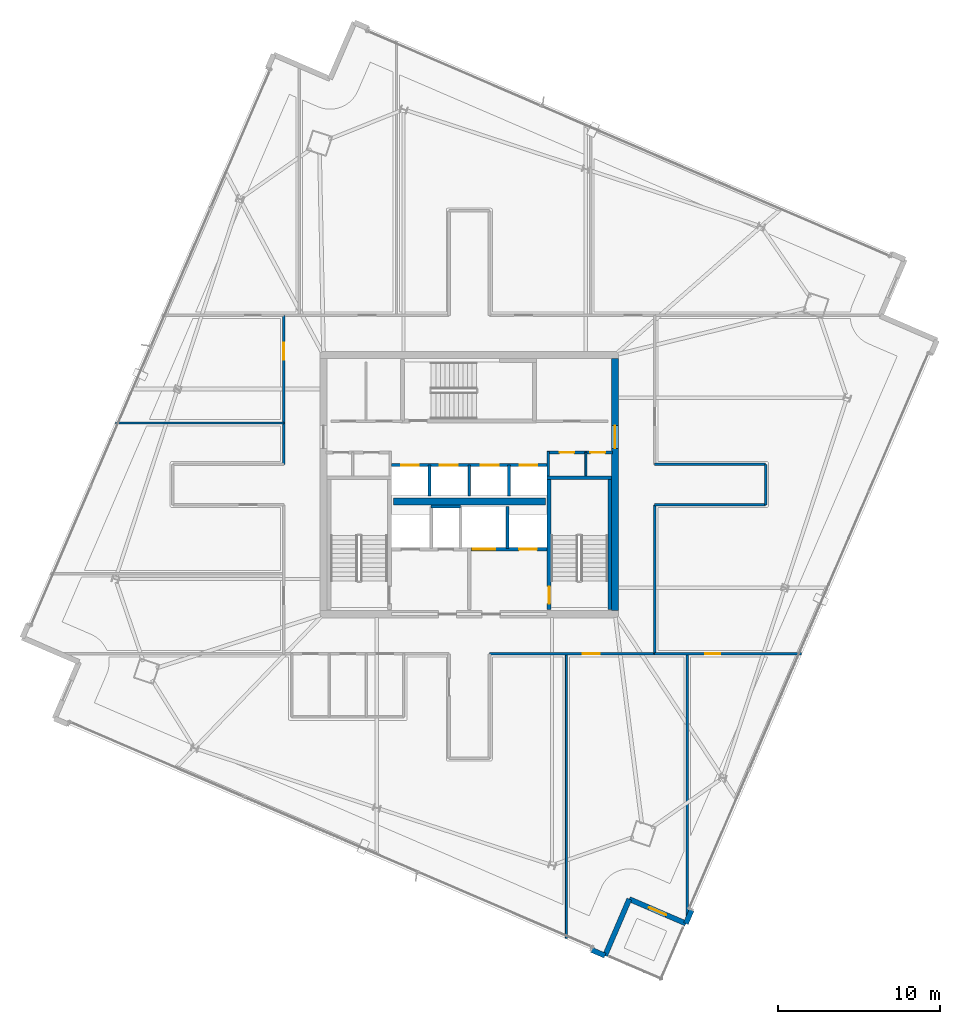
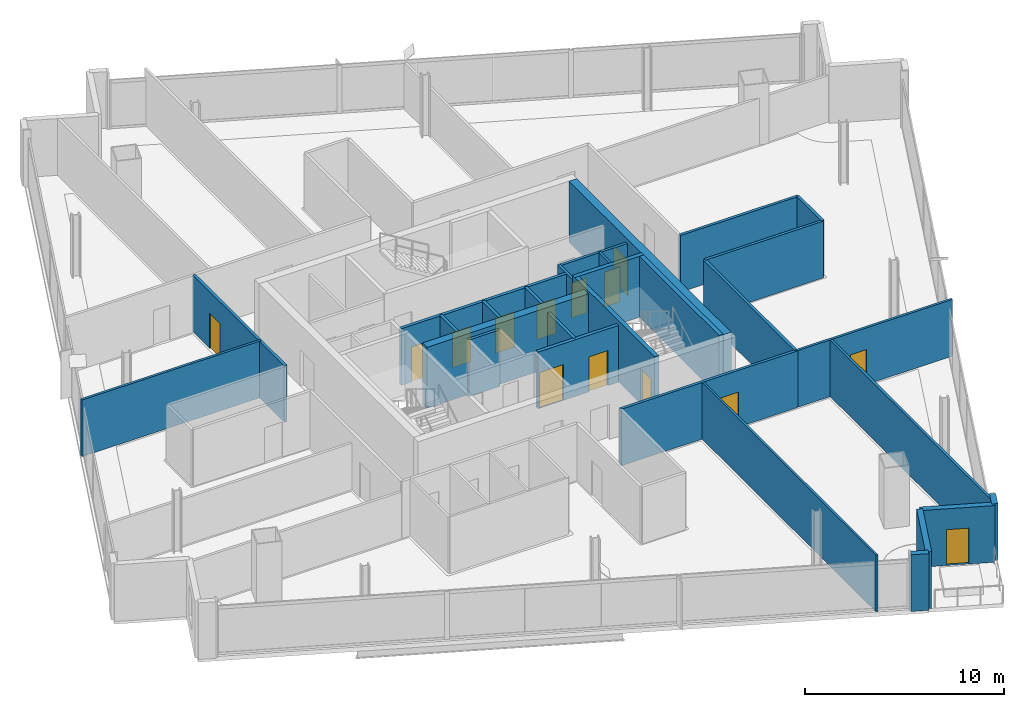
# One storey, part 21 of 28: 29 walls, 14 doors, 14 openings.
"""IFC4 building model written with IfcOpenShell, lengths in metres."""

from ifc_helpers import new_model, si_unit, direction, frame, frame_2d, origin, place, context, subcontext, project, spatial, rectangle, extrude, material, layer, layer_set, type_object, element, fill, save


model = new_model("IFC4")

# Units and contexts
model_context = context("Model", 3, precision=1e-05, world=origin(), true_north=direction((0.0, 1.0)))
body_context = subcontext(model_context, "Body", "Model", "MODEL_VIEW")
ifc_project = project(units=[si_unit("LENGTHUNIT", "METRE"), si_unit("AREAUNIT", "SQUARE_METRE"), si_unit("VOLUMEUNIT", "CUBIC_METRE"), si_unit("PLANEANGLEUNIT", "RADIAN"), si_unit("MASSUNIT", "GRAM", prefix="KILO")], contexts=[model_context])

# Site, building, storey
site_placement = place(None, origin())
site = spatial("IfcSite", under=ifc_project, at=site_placement, CompositionType="ELEMENT")
building_placement = place(site_placement, origin())
building = spatial("IfcBuilding", under=site, at=building_placement, Name="Haldenkirk Collegiate Tower", CompositionType="ELEMENT")
storey_placement = place(building_placement, frame((0.0, 0.0, 252.449951171875)))
storey = spatial("IfcBuildingStorey", under=building, at=storey_placement, Name="L63", CompositionType="ELEMENT", Elevation=252.449951171875)

# Wall, opening, door
ifc_material_1 = material(Name="Concrete f'c 55 MPa", Category="concrete")
ifc_layer_1 = layer(ifc_material_1, 0.449951171875)
ifc_layer_set_1 = layer_set([ifc_layer_1], Name="Concrete f'c 55 MPa")
wall_type_1 = type_object("IfcWallType", Name="WL-CORE-450", PredefinedType="SHEAR", material=ifc_layer_set_1)
wall_1_placement = place(storey_placement, frame((45.0, 18.22509765625, 0.0), z_axis=(0.0, 0.0, 1.0), x_axis=(0.0, 1.0, 0.0)))
wall_1 = element("IfcWall", 1, at=wall_1_placement, inside=storey, type_object=wall_type_1, Name="L63 central core shear wall E", PredefinedType="SHEAR", context=body_context, shape_type="SweptSolid", body=[
    extrude(rectangle(XDim=15.5498046875, YDim=0.449951171875, at=frame_2d((7.77490234375, 0.0))), origin(), (0.0, 0.0, 1.0), 3.75),
])
opening_1_placement = place(wall_1_placement, frame((10.014892578125, 0.0, 0.0)))
opening_1 = element("IfcOpeningElement", 2, at=opening_1_placement, cuts=wall_1, Name="Opening D-03", PredefinedType="OPENING", context=body_context, shape_type="SweptSolid", body=[
    extrude(rectangle(XDim=1.39990234375, YDim=2.199951171875, at=frame_2d((0.699951171875, 1.10009765625))), frame((0.0, 0.23486328125, 0.0), z_axis=(0.0, -1.0, 0.0), x_axis=(1.0, 0.0, 0.0)), (0.0, 0.0, 1.0), 0.469970703125),
])
ifc_material_2 = material(Name="Galvanized fire-rated hollow steel door", Category="steel")
ifc_layer_2 = layer(ifc_material_2, 0.06005859375)
ifc_layer_set_2 = layer_set([ifc_layer_2], Name="Galvanized fire-rated hollow steel door")
door_type_1 = type_object("IfcDoorType", Name="DR-LOBBY-FD90-1400", OperationType="NOTDEFINED", PredefinedType="DOOR", material=ifc_layer_set_2)
door_1_placement = place(opening_1_placement, origin())
door_1 = element("IfcDoor", 3, at=door_1_placement, inside=storey, type_object=door_type_1, Name="L63 east lift lobby portal", OperationType="DOUBLE_DOOR_SINGLE_SWING", OverallHeight=2.199951171875, OverallWidth=1.39990234375, PredefinedType="DOOR", context=body_context, shape_type="SweptSolid", body=[
    extrude(rectangle(XDim=1.39990234375, YDim=2.199951171875, at=frame_2d((0.699951171875, 1.10009765625))), frame((0.0, 0.02490234375, 0.0), z_axis=(0.0, -1.0, 0.0), x_axis=(1.0, 0.0, 0.0)), (0.0, 0.0, 1.0), 0.050048828125),
])
fill(opening_1, door_1)

# Walls
wall_2_placement = place(storey_placement, frame((31.31005859375, 24.949951171875, 0.0), z_axis=(0.0, 0.0, 1.0), x_axis=(1.0, 0.0, 0.0)))
element("IfcWall", 4, at=wall_2_placement, inside=storey, type_object=wall_type_1, Name="L63 central core spine shear wall", PredefinedType="SHEAR", context=body_context, shape_type="SweptSolid", body=[
    extrude(rectangle(XDim=9.3798828125, YDim=0.449951171875, at=frame_2d((4.68994140625, 0.0))), origin(), (0.0, 0.0, 1.0), 3.75),
])
ifc_material_3 = material(Name="Precast concrete f'c 40 MPa", Category="concrete")
ifc_layer_3 = layer(ifc_material_3, 0.320068359375)
ifc_layer_set_3 = layer_set([ifc_layer_3], Name="Precast concrete f'c 40 MPa")
wall_type_2 = type_object("IfcWallType", Name="WL-EXT-TWR-320", PredefinedType="STANDARD", material=ifc_layer_set_3)
for number, where, z_axis, x_axis, name in (
    (5, (49.7275390625, -0.2724609375, 0.0), (0.0, 0.0, 1.0), (-0.395490132526, -0.91847022547, 0.0), "L63 precast corner pier SR"),
    (6, (44.37841796875, -3.086181640625, 0.0), (0.0, 0.0, 1.0), (-0.918371675188, 0.395718923243, 0.0), "L63 precast corner pier WL"),
):
    element("IfcWall", number, at=place(storey_placement, frame(where, z_axis=z_axis, x_axis=x_axis)), inside=storey, type_object=wall_type_2, Name=name, PredefinedType="STANDARD", context=body_context, shape_type="SweptSolid", body=[
        extrude(rectangle(XDim=0.900146484375, YDim=0.320068359375, at=frame_2d((0.4501953125, 0.0))), origin(), (0.0, 0.0, 1.0), 3.47998046875),
    ])
wall_3_placement = place(storey_placement, frame((45.881591796875, 0.404052734375, 0.0), z_axis=(0.0, 0.0, 1.0), x_axis=(-0.395554699425, -0.918442420494, 0.0)))
element("IfcWall", 7, at=wall_3_placement, inside=storey, type_object=wall_type_2, Name="L63 bronze precast notch wall 11", PredefinedType="STANDARD", context=body_context, shape_type="SweptSolid", body=[
    extrude(rectangle(XDim=3.800048828125, YDim=0.320068359375, at=frame_2d((1.89990234375, 0.0))), origin(), (0.0, 0.0, 1.0), 3.47998046875),
])

# Wall, opening, door
wall_4_placement = place(storey_placement, frame((49.37158203125, -1.09912109375, 0.0), z_axis=(0.0, 0.0, 1.0), x_axis=(-0.91843236765, 0.395578040407, 0.0)))
wall_4 = element("IfcWall", 8, at=wall_4_placement, inside=storey, type_object=wall_type_2, Name="L63 bronze precast notch wall 12", PredefinedType="STANDARD", context=body_context, shape_type="SweptSolid", body=[
    extrude(rectangle(XDim=3.800048828125, YDim=0.320068359375, at=frame_2d((1.89990234375, 0.0))), origin(), (0.0, 0.0, 1.0), 3.47998046875),
])
opening_2_placement = place(wall_4_placement, frame((1.324951171875, 0.0, 0.0)))
opening_2 = element("IfcOpeningElement", 9, at=opening_2_placement, cuts=wall_4, Name="Opening D-ST11", PredefinedType="OPENING", context=body_context, shape_type="SweptSolid", body=[
    extrude(rectangle(XDim=1.14990234375, YDim=2.199951171875, at=frame_2d((0.574951171875, 1.10009765625))), frame((0.0, 0.169921875, 0.0), z_axis=(0.0, -1.0, 0.0), x_axis=(1.0, 0.0, 0.0)), (0.0, 0.0, 1.0), 0.340087890625),
])
ifc_material_4 = material(Name="Anodised architectural bronze aluminium", Category="aluminium")
ifc_layer_4 = layer(ifc_material_4, 0.080078125)
ifc_layer_set_4 = layer_set([ifc_layer_4], Name="Anodised architectural bronze aluminium")
door_type_2 = type_object("IfcDoorType", Name="DR-EXT-STER-1150", OperationType="NOTDEFINED", PredefinedType="DOOR", material=ifc_layer_set_4)
door_2_placement = place(opening_2_placement, origin())
door_2 = element("IfcDoor", 10, at=door_2_placement, inside=storey, type_object=door_type_2, Name="L63 spiralling terrace door", OperationType="SINGLE_SWING_RIGHT", OverallHeight=2.199951171875, OverallWidth=1.14990234375, PredefinedType="DOOR", context=body_context, shape_type="SweptSolid", body=[
    extrude(rectangle(XDim=1.14990234375, YDim=2.199951171875, at=frame_2d((0.574951171875, 1.10009765625))), frame((0.0, 0.02490234375, 0.0), z_axis=(0.0, -1.0, 0.0), x_axis=(1.0, 0.0, 0.0)), (0.0, 0.0, 1.0), 0.050048828125),
])
fill(opening_2, door_2)

# Wall, openings, doors
ifc_material_5 = material(Name="Acoustic fire-rated gypsum partition", Category="concrete")
ifc_layer_5 = layer(ifc_material_5, 0.159912109375)
ifc_layer_set_5 = layer_set([ifc_layer_5], Name="Acoustic fire-rated gypsum partition")
wall_type_3 = type_object("IfcWallType", Name="WL-INT-CORR-160", PredefinedType="PARTITIONING", material=ifc_layer_set_5)
wall_5_placement = place(storey_placement, frame((40.800048828125, 27.97998046875, 0.0), z_axis=(0.0, 0.0, 1.0), x_axis=(1.0, 0.0, 0.0)))
wall_5 = element("IfcWall", 11, at=wall_5_placement, inside=storey, type_object=wall_type_3, Name="L63 interior partition IW-L63-VCSE-N", PredefinedType="PARTITIONING", context=body_context, shape_type="SweptSolid", body=[
    extrude(rectangle(XDim=4.050048828125, YDim=0.159912109375, at=frame_2d((2.02490234375, 0.0))), origin(), (0.0, 0.0, 1.0), 3.47998046875),
])
opening_3_placement = place(wall_5_placement, frame((0.77001953125, 0.0, 0.0)))
opening_3 = element("IfcOpeningElement", 12, at=opening_3_placement, cuts=wall_5, Name="Opening D-11", PredefinedType="OPENING", context=body_context, shape_type="SweptSolid", body=[
    extrude(rectangle(XDim=0.89990234375, YDim=2.14990234375, at=frame_2d((0.449951171875, 1.074951171875))), frame((0.0, 0.08984375, 0.0), z_axis=(0.0, -1.0, 0.0), x_axis=(1.0, 0.0, 0.0)), (0.0, 0.0, 1.0), 0.179931640625),
])
opening_4_placement = place(wall_5_placement, frame((2.679931640625, 0.0, 0.0)))
opening_4 = element("IfcOpeningElement", 13, at=opening_4_placement, cuts=wall_5, Name="Opening D-11", PredefinedType="OPENING", context=body_context, shape_type="SweptSolid", body=[
    extrude(rectangle(XDim=0.89990234375, YDim=2.14990234375, at=frame_2d((0.449951171875, 1.074951171875))), frame((0.0, 0.08984375, 0.0), z_axis=(0.0, -1.0, 0.0), x_axis=(1.0, 0.0, 0.0)), (0.0, 0.0, 1.0), 0.179931640625),
])
ifc_material_6 = material(Name="Solid-core architectural oak fire door", Category="wood")
ifc_layer_6 = layer(ifc_material_6, 0.06005859375)
ifc_layer_set_6 = layer_set([ifc_layer_6], Name="Solid-core architectural oak fire door")
door_type_3 = type_object("IfcDoorType", Name="DR-INT-FD60-900", OperationType="NOTDEFINED", PredefinedType="DOOR", material=ifc_layer_set_6)
door_3_placement = place(opening_3_placement, origin())
door_3 = element("IfcDoor", 14, at=door_3_placement, inside=storey, type_object=door_type_3, Name="L63 core archive door", OperationType="SINGLE_SWING_LEFT", OverallHeight=2.14990234375, OverallWidth=0.89990234375, PredefinedType="DOOR", context=body_context, shape_type="SweptSolid", body=[
    extrude(rectangle(XDim=0.89990234375, YDim=2.14990234375, at=frame_2d((0.449951171875, 1.074951171875))), frame((0.0, 0.02490234375, 0.0), z_axis=(0.0, -1.0, 0.0), x_axis=(1.0, 0.0, 0.0)), (0.0, 0.0, 1.0), 0.050048828125),
])
fill(opening_3, door_3)
door_4_placement = place(opening_4_placement, origin())
door_4 = element("IfcDoor", 15, at=door_4_placement, inside=storey, type_object=door_type_3, Name="L63 core telecom door", OperationType="SINGLE_SWING_RIGHT", OverallHeight=2.14990234375, OverallWidth=0.89990234375, PredefinedType="DOOR", context=body_context, shape_type="SweptSolid", body=[
    extrude(rectangle(XDim=0.89990234375, YDim=2.14990234375, at=frame_2d((0.449951171875, 1.074951171875))), frame((0.0, 0.02490234375, 0.0), z_axis=(0.0, -1.0, 0.0), x_axis=(1.0, 0.0, 0.0)), (0.0, 0.0, 1.0), 0.050048828125),
])
fill(opening_4, door_4)

# Wall
wall_6_placement = place(storey_placement, frame((40.8798828125, 26.5400390625, 0.0), z_axis=(0.0, 0.0, 1.0), x_axis=(0.0, 1.0, 0.0)))
element("IfcWall", 16, at=wall_6_placement, inside=storey, type_object=wall_type_3, Name="L63 interior partition IW-L63-VCSE-W", PredefinedType="PARTITIONING", context=body_context, shape_type="SweptSolid", body=[
    extrude(rectangle(XDim=1.510009765625, YDim=0.159912109375, at=frame_2d((0.7548828125, 0.0))), origin(), (0.0, 0.0, 1.0), 3.47998046875),
])

# Wall, opening, door
wall_7_placement = place(storey_placement, frame((37.25, 15.550048828125, 0.0), z_axis=(0.0, 0.0, 1.0), x_axis=(1.0, 0.0, 0.0)))
wall_7 = element("IfcWall", 17, at=wall_7_placement, inside=storey, type_object=wall_type_3, Name="L63 interior partition IW-L63-CS2", PredefinedType="PARTITIONING", context=body_context, shape_type="SweptSolid", body=[
    extrude(rectangle(XDim=10.25, YDim=0.159912109375, at=frame_2d((5.125, 0.0))), origin(), (0.0, 0.0, 1.0), 3.47998046875),
])
opening_5_placement = place(wall_7_placement, frame((5.759033203125, 0.0, 0.0)))
opening_5 = element("IfcOpeningElement", 18, at=opening_5_placement, cuts=wall_7, Name="Opening D-09", PredefinedType="OPENING", context=body_context, shape_type="SweptSolid", body=[
    extrude(rectangle(XDim=1.050048828125, YDim=2.14990234375, at=frame_2d((0.52490234375, 1.074951171875))), frame((0.0, 0.08984375, 0.0), z_axis=(0.0, -1.0, 0.0), x_axis=(1.0, 0.0, 0.0)), (0.0, 0.0, 1.0), 0.179931640625),
])
ifc_layer_7 = layer(ifc_material_6, 0.06005859375)
ifc_layer_set_7 = layer_set([ifc_layer_7], Name="Solid-core architectural oak fire door")
door_type_4 = type_object("IfcDoorType", Name="DR-INT-FD60-1050", OperationType="NOTDEFINED", PredefinedType="DOOR", material=ifc_layer_set_7)
door_5_placement = place(opening_5_placement, origin())
door_5 = element("IfcDoor", 19, at=door_5_placement, inside=storey, type_object=door_type_4, Name="L63 Colloquium Conference Room 2 door", OperationType="SINGLE_SWING_RIGHT", OverallHeight=2.14990234375, OverallWidth=1.050048828125, PredefinedType="DOOR", context=body_context, shape_type="SweptSolid", body=[
    extrude(rectangle(XDim=1.050048828125, YDim=2.14990234375, at=frame_2d((0.52490234375, 1.074951171875))), frame((0.0, 0.02490234375, 0.0), z_axis=(0.0, -1.0, 0.0), x_axis=(1.0, 0.0, 0.0)), (0.0, 0.0, 1.0), 0.050048828125),
])
fill(opening_5, door_5)

wall_8_placement = place(storey_placement, frame((24.550048828125, 27.25, 0.0), z_axis=(0.0, 0.0, 1.0), x_axis=(0.0, 1.0, 0.0)))
wall_8 = element("IfcWall", 20, at=wall_8_placement, inside=storey, type_object=wall_type_3, Name="L63 interior partition IW-L63-CW2", PredefinedType="PARTITIONING", context=body_context, shape_type="SweptSolid", body=[
    extrude(rectangle(XDim=9.199951171875, YDim=0.159912109375, at=frame_2d((4.60009765625, 0.0))), origin(), (0.0, 0.0, 1.0), 3.47998046875),
])
opening_6_placement = place(wall_8_placement, frame((6.44091796875, 0.0, 0.0)))
opening_6 = element("IfcOpeningElement", 21, at=opening_6_placement, cuts=wall_8, Name="Opening D-09", PredefinedType="OPENING", context=body_context, shape_type="SweptSolid", body=[
    extrude(rectangle(XDim=1.050048828125, YDim=2.14990234375, at=frame_2d((0.52490234375, 1.074951171875))), frame((0.0, 0.08984375, 0.0), z_axis=(0.0, -1.0, 0.0), x_axis=(1.0, 0.0, 0.0)), (0.0, 0.0, 1.0), 0.179931640625),
])
door_6_placement = place(opening_6_placement, origin())
door_6 = element("IfcDoor", 22, at=door_6_placement, inside=storey, type_object=door_type_4, Name="L63 Breakout Conference Room 10 door", OperationType="SINGLE_SWING_RIGHT", OverallHeight=2.14990234375, OverallWidth=1.050048828125, PredefinedType="DOOR", context=body_context, shape_type="SweptSolid", body=[
    extrude(rectangle(XDim=1.050048828125, YDim=2.14990234375, at=frame_2d((0.52490234375, 1.074951171875))), frame((0.0, 0.02490234375, 0.0), z_axis=(0.0, -1.0, 0.0), x_axis=(1.0, 0.0, 0.0)), (0.0, 0.0, 1.0), 0.050048828125),
])
fill(opening_6, door_6)

# Walls
wall_9_placement = place(storey_placement, frame((47.449951171875, 15.550048828125, 0.0), z_axis=(0.0, 0.0, 1.0), x_axis=(0.0, 1.0, 0.0)))
element("IfcWall", 23, at=wall_9_placement, inside=storey, type_object=wall_type_3, Name="L63 interior partition IW-L63-CE1", PredefinedType="PARTITIONING", context=body_context, shape_type="SweptSolid", body=[
    extrude(rectangle(XDim=9.199951171875, YDim=0.159912109375, at=frame_2d((4.60009765625, 0.0))), origin(), (0.0, 0.0, 1.0), 3.47998046875),
])
for number, where, z_axis, x_axis, name in (
    (24, (47.449951171875, 24.75, 0.0), (0.0, 0.0, 1.0), (1.0, 0.0, 0.0), "L63 interior partition IW-L63-EPS"),
    (25, (47.449951171875, 27.25, 0.0), (0.0, 0.0, 1.0), (1.0, 0.0, 0.0), "L63 interior partition IW-L63-EPN"),
):
    element("IfcWall", number, at=place(storey_placement, frame(where, z_axis=z_axis, x_axis=x_axis)), inside=storey, type_object=wall_type_3, Name=name, PredefinedType="PARTITIONING", context=body_context, shape_type="SweptSolid", body=[
        extrude(rectangle(XDim=6.85009765625, YDim=0.159912109375, at=frame_2d((3.425048828125, 0.0))), origin(), (0.0, 0.0, 1.0), 3.47998046875),
    ])
wall_10_placement = place(storey_placement, frame((54.300048828125, 24.75, 0.0), z_axis=(0.0, 0.0, 1.0), x_axis=(0.0, 1.0, 0.0)))
element("IfcWall", 26, at=wall_10_placement, inside=storey, type_object=wall_type_3, Name="L63 interior partition IW-L63-EPE", PredefinedType="PARTITIONING", context=body_context, shape_type="SweptSolid", body=[
    extrude(rectangle(XDim=2.5, YDim=0.159912109375, at=frame_2d((1.25, 0.0))), origin(), (0.0, 0.0, 1.0), 3.47998046875),
])

# Wall, opening, door
ifc_layer_8 = layer(ifc_material_5, 0.139892578125)
ifc_layer_set_8 = layer_set([ifc_layer_8], Name="Acoustic fire-rated gypsum partition")
wall_type_4 = type_object("IfcWallType", Name="WL-INT-DIV-140", PredefinedType="PARTITIONING", material=ifc_layer_set_8)
wall_11_placement = place(storey_placement, frame((47.449951171875, 15.550048828125, 0.0), z_axis=(0.0, 0.0, 1.0), x_axis=(1.0, 0.0, 0.0)))
wall_11 = element("IfcWall", 27, at=wall_11_placement, inside=storey, type_object=wall_type_4, Name="L63 interior partition IW-L63-BES", PredefinedType="PARTITIONING", context=body_context, shape_type="SweptSolid", body=[
    extrude(rectangle(XDim=9.04833984375, YDim=0.139892578125, at=frame_2d((4.524169921875, 0.0))), origin(), (0.0, 0.0, 1.0), 3.47998046875),
])
opening_7_placement = place(wall_11_placement, frame((3.10595703125, 0.0, 0.0)))
opening_7 = element("IfcOpeningElement", 28, at=opening_7_placement, cuts=wall_11, Name="Opening D-12", PredefinedType="OPENING", context=body_context, shape_type="SweptSolid", body=[
    extrude(rectangle(XDim=0.949951171875, YDim=2.14990234375, at=frame_2d((0.47509765625, 1.074951171875))), frame((0.0, 0.079833984375, 0.0), z_axis=(0.0, -1.0, 0.0), x_axis=(1.0, 0.0, 0.0)), (0.0, 0.0, 1.0), 0.159912109375),
])
ifc_layer_9 = layer(ifc_material_6, 0.06005859375)
ifc_layer_set_9 = layer_set([ifc_layer_9], Name="Solid-core architectural oak fire door")
door_type_5 = type_object("IfcDoorType", Name="DR-INT-STD-950", OperationType="NOTDEFINED", PredefinedType="DOOR", material=ifc_layer_set_9)
door_7_placement = place(opening_7_placement, origin())
door_7 = element("IfcDoor", 29, at=door_7_placement, inside=storey, type_object=door_type_5, Name="L63 Tutorial Seminar Room 3 door", OperationType="SINGLE_SWING_LEFT", OverallHeight=2.14990234375, OverallWidth=0.949951171875, PredefinedType="DOOR", context=body_context, shape_type="SweptSolid", body=[
    extrude(rectangle(XDim=0.949951171875, YDim=2.14990234375, at=frame_2d((0.47509765625, 1.074951171875))), frame((0.0, 0.02490234375, 0.0), z_axis=(0.0, -1.0, 0.0), x_axis=(1.0, 0.0, 0.0)), (0.0, 0.0, 1.0), 0.050048828125),
])
fill(opening_7, door_7)

# Walls
wall_12_placement = place(storey_placement, frame((49.449951171875, -0.81591796875, 0.0), z_axis=(0.0, 0.0, 1.0), x_axis=(0.0, 1.0, 0.0)))
element("IfcWall", 30, at=wall_12_placement, inside=storey, type_object=wall_type_4, Name="L63 interior partition IW-L63-RS2", PredefinedType="PARTITIONING", context=body_context, shape_type="SweptSolid", body=[
    extrude(rectangle(XDim=16.365966796875, YDim=0.139892578125, at=frame_2d((8.18310546875, 0.0))), origin(), (0.0, 0.0, 1.0), 3.47998046875),
])
wall_13_placement = place(storey_placement, frame((14.162109375, 29.800048828125, 0.0), z_axis=(0.0, 0.0, 1.0), x_axis=(1.0, 0.0, 0.0)))
element("IfcWall", 31, at=wall_13_placement, inside=storey, type_object=wall_type_4, Name="L63 interior partition IW-L63-RW2", PredefinedType="PARTITIONING", context=body_context, shape_type="SweptSolid", body=[
    extrude(rectangle(XDim=10.387939453125, YDim=0.139892578125, at=frame_2d((5.19384765625, 0.0))), origin(), (0.0, 0.0, 1.0), 3.47998046875),
])
ifc_material_7 = material(Name="Fire-rated gypsum shaftboard assembly", Category="concrete")
ifc_layer_10 = layer(ifc_material_7, 0.179931640625)
ifc_layer_set_10 = layer_set([ifc_layer_10], Name="Fire-rated gypsum shaftboard assembly")
wall_type_5 = type_object("IfcWallType", Name="WL-INT-SHAFT-180", PredefinedType="PARTITIONING", material=ifc_layer_set_10)
wall_14_placement = place(storey_placement, frame((33.64990234375, 24.64990234375, 0.0), z_axis=(0.0, 0.0, 1.0), x_axis=(1.0, 0.0, 0.0)))
element("IfcWall", 32, at=wall_14_placement, inside=storey, type_object=wall_type_5, Name="L63 interior partition IW-L63-RSRN", PredefinedType="PARTITIONING", context=body_context, shape_type="SweptSolid", body=[
    extrude(rectangle(XDim=1.800048828125, YDim=0.179931640625, at=frame_2d((0.89990234375, 0.0))), origin(), (0.0, 0.0, 1.0), 3.47998046875),
])
wall_15_placement = place(storey_placement, frame((38.35009765625, 22.050048828125, 0.0), z_axis=(0.0, 0.0, 1.0), x_axis=(0.0, 1.0, 0.0)))
element("IfcWall", 33, at=wall_15_placement, inside=storey, type_object=wall_type_5, Name="L63 interior partition IW-L63-GL1E", PredefinedType="PARTITIONING", context=body_context, shape_type="SweptSolid", body=[
    extrude(rectangle(XDim=2.599853515625, YDim=0.179931640625, at=frame_2d((1.2998046875, 0.0))), origin(), (0.0, 0.0, 1.0), 3.47998046875),
])

# Wall, openings, doors
wall_16_placement = place(storey_placement, frame((31.199951171875, 27.199951171875, 0.0), z_axis=(0.0, 0.0, 1.0), x_axis=(1.0, 0.0, 0.0)))
wall_16 = element("IfcWall", 34, at=wall_16_placement, inside=storey, type_object=wall_type_5, Name="L63 interior partition IW-L63-PHN", PredefinedType="PARTITIONING", context=body_context, shape_type="SweptSolid", body=[
    extrude(rectangle(XDim=9.60009765625, YDim=0.179931640625, at=frame_2d((4.800048828125, 0.0))), origin(), (0.0, 0.0, 1.0), 3.47998046875),
])
opening_8_placement = place(wall_16_placement, frame((0.590087890625, 0.0, 0.0)))
opening_8 = element("IfcOpeningElement", 35, at=opening_8_placement, cuts=wall_16, Name="Opening LD-11", PredefinedType="OPENING", context=body_context, shape_type="SweptSolid", body=[
    extrude(rectangle(XDim=1.10009765625, YDim=2.14990234375, at=frame_2d((0.550048828125, 1.074951171875))), frame((0.0, 0.099853515625, 0.0), z_axis=(0.0, -1.0, 0.0), x_axis=(1.0, 0.0, 0.0)), (0.0, 0.0, 1.0), 0.199951171875),
])
opening_9_placement = place(wall_16_placement, frame((2.989990234375, 0.0, 0.0)))
opening_9 = element("IfcOpeningElement", 36, at=opening_9_placement, cuts=wall_16, Name="Opening LD-11", PredefinedType="OPENING", context=body_context, shape_type="SweptSolid", body=[
    extrude(rectangle(XDim=1.10009765625, YDim=2.14990234375, at=frame_2d((0.550048828125, 1.074951171875))), frame((0.0, 0.099853515625, 0.0), z_axis=(0.0, -1.0, 0.0), x_axis=(1.0, 0.0, 0.0)), (0.0, 0.0, 1.0), 0.199951171875),
])
opening_10_placement = place(wall_16_placement, frame((5.510009765625, 0.0, 0.0)))
opening_10 = element("IfcOpeningElement", 37, at=opening_10_placement, cuts=wall_16, Name="Opening LD-11", PredefinedType="OPENING", context=body_context, shape_type="SweptSolid", body=[
    extrude(rectangle(XDim=1.10009765625, YDim=2.14990234375, at=frame_2d((0.550048828125, 1.074951171875))), frame((0.0, 0.099853515625, 0.0), z_axis=(0.0, -1.0, 0.0), x_axis=(1.0, 0.0, 0.0)), (0.0, 0.0, 1.0), 0.199951171875),
])
opening_11_placement = place(wall_16_placement, frame((7.909912109375, 0.0, 0.0)))
opening_11 = element("IfcOpeningElement", 38, at=opening_11_placement, cuts=wall_16, Name="Opening LD-11", PredefinedType="OPENING", context=body_context, shape_type="SweptSolid", body=[
    extrude(rectangle(XDim=1.10009765625, YDim=2.14990234375, at=frame_2d((0.550048828125, 1.074951171875))), frame((0.0, 0.099853515625, 0.0), z_axis=(0.0, -1.0, 0.0), x_axis=(1.0, 0.0, 0.0)), (0.0, 0.0, 1.0), 0.199951171875),
])
ifc_material_8 = material(Name="Brushed architectural stainless steel", Category="steel")
ifc_layer_11 = layer(ifc_material_8, 0.06005859375)
ifc_layer_set_11 = layer_set([ifc_layer_11], Name="Brushed architectural stainless steel")
door_type_6 = type_object("IfcDoorType", Name="LD-PASS-1100", OperationType="NOTDEFINED", PredefinedType="DOOR", material=ifc_layer_set_11)
door_8_placement = place(opening_8_placement, origin())
door_8 = element("IfcDoor", 39, at=door_8_placement, inside=storey, type_object=door_type_6, Name="L63 Elevator PH1 sliding landing door", OperationType="SLIDING_TO_LEFT", OverallHeight=2.14990234375, OverallWidth=1.10009765625, PredefinedType="DOOR", context=body_context, shape_type="SweptSolid", body=[
    extrude(rectangle(XDim=1.10009765625, YDim=2.14990234375, at=frame_2d((0.550048828125, 1.074951171875))), frame((0.0, 0.02490234375, 0.0), z_axis=(0.0, -1.0, 0.0), x_axis=(1.0, 0.0, 0.0)), (0.0, 0.0, 1.0), 0.050048828125),
])
fill(opening_8, door_8)
door_9_placement = place(opening_9_placement, origin())
door_9 = element("IfcDoor", 40, at=door_9_placement, inside=storey, type_object=door_type_6, Name="L63 Elevator PH2 sliding landing door", OperationType="SLIDING_TO_LEFT", OverallHeight=2.14990234375, OverallWidth=1.10009765625, PredefinedType="DOOR", context=body_context, shape_type="SweptSolid", body=[
    extrude(rectangle(XDim=1.10009765625, YDim=2.14990234375, at=frame_2d((0.550048828125, 1.074951171875))), frame((0.0, 0.02490234375, 0.0), z_axis=(0.0, -1.0, 0.0), x_axis=(1.0, 0.0, 0.0)), (0.0, 0.0, 1.0), 0.050048828125),
])
fill(opening_9, door_9)
door_10_placement = place(opening_10_placement, origin())
door_10 = element("IfcDoor", 41, at=door_10_placement, inside=storey, type_object=door_type_6, Name="L63 Elevator PH3 sliding landing door", OperationType="SLIDING_TO_LEFT", OverallHeight=2.14990234375, OverallWidth=1.10009765625, PredefinedType="DOOR", context=body_context, shape_type="SweptSolid", body=[
    extrude(rectangle(XDim=1.10009765625, YDim=2.14990234375, at=frame_2d((0.550048828125, 1.074951171875))), frame((0.0, 0.02490234375, 0.0), z_axis=(0.0, -1.0, 0.0), x_axis=(1.0, 0.0, 0.0)), (0.0, 0.0, 1.0), 0.050048828125),
])
fill(opening_10, door_10)
door_11_placement = place(opening_11_placement, origin())
door_11 = element("IfcDoor", 42, at=door_11_placement, inside=storey, type_object=door_type_6, Name="L63 Elevator PH4 sliding landing door", OperationType="SLIDING_TO_LEFT", OverallHeight=2.14990234375, OverallWidth=1.10009765625, PredefinedType="DOOR", context=body_context, shape_type="SweptSolid", body=[
    extrude(rectangle(XDim=1.10009765625, YDim=2.14990234375, at=frame_2d((0.550048828125, 1.074951171875))), frame((0.0, 0.02490234375, 0.0), z_axis=(0.0, -1.0, 0.0), x_axis=(1.0, 0.0, 0.0)), (0.0, 0.0, 1.0), 0.050048828125),
])
fill(opening_11, door_11)

# Walls
for number, where, z_axis, x_axis, name in (
    (43, (33.5400390625, 25.300048828125, 0.0), (0.0, 0.0, 1.0), (0.0, 1.0, 0.0), "L63 interior partition IW-L63-PHV1"),
    (44, (36.0, 25.300048828125, 0.0), (0.0, 0.0, 1.0), (0.0, 1.0, 0.0), "L63 interior partition IW-L63-PHV2"),
    (45, (38.4599609375, 25.300048828125, 0.0), (0.0, 0.0, 1.0), (0.0, 1.0, 0.0), "L63 interior partition IW-L63-PHV3"),
):
    element("IfcWall", number, at=place(storey_placement, frame(where, z_axis=z_axis, x_axis=x_axis)), inside=storey, type_object=wall_type_5, Name=name, PredefinedType="PARTITIONING", context=body_context, shape_type="SweptSolid", body=[
        extrude(rectangle(XDim=1.89990234375, YDim=0.179931640625, at=frame_2d((0.949951171875, 0.0))), origin(), (0.0, 0.0, 1.0), 3.47998046875),
    ])

# Wall, openings, doors
ifc_layer_12 = layer(ifc_material_7, 0.199951171875)
ifc_layer_set_12 = layer_set([ifc_layer_12], Name="Fire-rated gypsum shaftboard assembly")
wall_type_6 = type_object("IfcWallType", Name="WL-INT-SHAFT-200", PredefinedType="PARTITIONING", material=ifc_layer_set_12)
wall_17_placement = place(storey_placement, frame((36.1201171875, 22.0, 0.0), z_axis=(0.0, 0.0, 1.0), x_axis=(1.0, 0.0, 0.0)))
wall_17 = element("IfcWall", 46, at=wall_17_placement, inside=storey, type_object=wall_type_6, Name="L63 interior partition IW-L63-FFL2N", PredefinedType="PARTITIONING", context=body_context, shape_type="SweptSolid", body=[
    extrude(rectangle(XDim=4.68994140625, YDim=0.199951171875, at=frame_2d((2.344970703125, 0.0))), origin(), (0.0, 0.0, 1.0), 3.47998046875),
])
opening_12_placement = place(wall_17_placement, frame((2.955078125, 0.0, 0.0)))
opening_12 = element("IfcOpeningElement", 47, at=opening_12_placement, cuts=wall_17, Name="Opening LD-12", PredefinedType="OPENING", context=body_context, shape_type="SweptSolid", body=[
    extrude(rectangle(XDim=1.10009765625, YDim=2.14990234375, at=frame_2d((0.550048828125, 1.074951171875))), frame((0.0, 0.10986328125, 0.0), z_axis=(0.0, -1.0, 0.0), x_axis=(1.0, 0.0, 0.0)), (0.0, 0.0, 1.0), 0.219970703125),
])
opening_13_placement = place(wall_17_placement, frame((0.080078125, 0.0, 0.0)))
opening_13 = element("IfcOpeningElement", 48, at=opening_13_placement, cuts=wall_17, Name="Opening LD-13", PredefinedType="OPENING", context=body_context, shape_type="SweptSolid", body=[
    extrude(rectangle(XDim=1.39990234375, YDim=2.199951171875, at=frame_2d((0.699951171875, 1.10009765625))), frame((0.0, 0.10986328125, 0.0), z_axis=(0.0, -1.0, 0.0), x_axis=(1.0, 0.0, 0.0)), (0.0, 0.0, 1.0), 0.219970703125),
])
ifc_layer_13 = layer(ifc_material_8, 0.06005859375)
ifc_layer_set_13 = layer_set([ifc_layer_13], Name="Brushed architectural stainless steel")
door_type_7 = type_object("IfcDoorType", Name="LD-FIRE-1100", OperationType="NOTDEFINED", PredefinedType="DOOR", material=ifc_layer_set_13)
door_12_placement = place(opening_12_placement, origin())
door_12 = element("IfcDoor", 49, at=door_12_placement, inside=storey, type_object=door_type_7, Name="L63 Elevator FL2 sliding landing door", OperationType="SLIDING_TO_LEFT", OverallHeight=2.14990234375, OverallWidth=1.10009765625, PredefinedType="DOOR", context=body_context, shape_type="SweptSolid", body=[
    extrude(rectangle(XDim=1.10009765625, YDim=2.14990234375, at=frame_2d((0.550048828125, 1.074951171875))), frame((0.0, 0.02490234375, 0.0), z_axis=(0.0, -1.0, 0.0), x_axis=(1.0, 0.0, 0.0)), (0.0, 0.0, 1.0), 0.050048828125),
])
fill(opening_12, door_12)
ifc_layer_14 = layer(ifc_material_8, 0.06005859375)
ifc_layer_set_14 = layer_set([ifc_layer_14], Name="Brushed architectural stainless steel")
door_type_8 = type_object("IfcDoorType", Name="LD-GOODS-1400", OperationType="NOTDEFINED", PredefinedType="DOOR", material=ifc_layer_set_14)
door_13_placement = place(opening_13_placement, origin())
door_13 = element("IfcDoor", 50, at=door_13_placement, inside=storey, type_object=door_type_8, Name="L63 Elevator GL1 sliding landing door", OperationType="SLIDING_TO_LEFT", OverallHeight=2.199951171875, OverallWidth=1.39990234375, PredefinedType="DOOR", context=body_context, shape_type="SweptSolid", body=[
    extrude(rectangle(XDim=1.39990234375, YDim=2.199951171875, at=frame_2d((0.699951171875, 1.10009765625))), frame((0.0, 0.02490234375, 0.0), z_axis=(0.0, -1.0, 0.0), x_axis=(1.0, 0.0, 0.0)), (0.0, 0.0, 1.0), 0.050048828125),
])
fill(opening_13, door_13)

# Walls
ifc_layer_15 = layer(ifc_material_5, 0.1201171875)
ifc_layer_set_15 = layer_set([ifc_layer_15], Name="Acoustic fire-rated gypsum partition")
wall_type_7 = type_object("IfcWallType", Name="WL-INT-WET-120", PredefinedType="PARTITIONING", material=ifc_layer_set_15)
wall_18_placement = place(storey_placement, frame((43.199951171875, 26.5400390625, 0.0), z_axis=(0.0, 0.0, 1.0), x_axis=(0.0, 1.0, 0.0)))
element("IfcWall", 51, at=wall_18_placement, inside=storey, type_object=wall_type_7, Name="L63 interior partition IW-L63-VCSE-M", PredefinedType="PARTITIONING", context=body_context, shape_type="SweptSolid", body=[
    extrude(rectangle(XDim=1.43994140625, YDim=0.1201171875, at=frame_2d((0.719970703125, 0.0))), origin(), (0.0, 0.0, 1.0), 3.47998046875),
])
wall_19_placement = place(storey_placement, frame((42.0, -2.018310546875, 0.0), z_axis=(0.0, 0.0, 1.0), x_axis=(0.0, 1.0, 0.0)))
element("IfcWall", 52, at=wall_19_placement, inside=storey, type_object=wall_type_7, Name="L63 interior partition IW-L63-RS1", PredefinedType="PARTITIONING", context=body_context, shape_type="SweptSolid", body=[
    extrude(rectangle(XDim=17.568359375, YDim=0.1201171875, at=frame_2d((8.7841796875, 0.0))), origin(), (0.0, 0.0, 1.0), 3.47998046875),
])

# Wall, opening, door
ifc_layer_16 = layer(ifc_material_1, 0.239990234375)
ifc_layer_set_16 = layer_set([ifc_layer_16], Name="Concrete f'c 55 MPa")
wall_type_8 = type_object("IfcWallType", Name="WL-SHAFT-240", PredefinedType="SHEAR", material=ifc_layer_set_16)
wall_20_placement = place(storey_placement, frame((40.929931640625, 18.280029296875, 0.0), z_axis=(0.0, 0.0, 1.0), x_axis=(0.0, 1.0, 0.0)))
wall_20 = element("IfcWall", 53, at=wall_20_placement, inside=storey, type_object=wall_type_8, Name="L63 stair shaft shear wall SW-L63-ST2W", PredefinedType="SHEAR", context=body_context, shape_type="SweptSolid", body=[
    extrude(rectangle(XDim=8.260009765625, YDim=0.239990234375, at=frame_2d((4.1298828125, 0.0))), origin(), (0.0, 0.0, 1.0), 3.75),
])
opening_14_placement = place(wall_20_placement, frame((0.364990234375, 0.0, 0.0)))
opening_14 = element("IfcOpeningElement", 54, at=opening_14_placement, cuts=wall_20, Name="Opening D-01", PredefinedType="OPENING", context=body_context, shape_type="SweptSolid", body=[
    extrude(rectangle(XDim=1.050048828125, YDim=2.14990234375, at=frame_2d((0.52490234375, 1.074951171875))), frame((0.0, 0.1298828125, 0.0), z_axis=(0.0, -1.0, 0.0), x_axis=(1.0, 0.0, 0.0)), (0.0, 0.0, 1.0), 0.260009765625),
])
ifc_layer_17 = layer(ifc_material_2, 0.06005859375)
ifc_layer_set_17 = layer_set([ifc_layer_17], Name="Galvanized fire-rated hollow steel door")
door_type_9 = type_object("IfcDoorType", Name="DR-STAIR-FD90-1050", OperationType="NOTDEFINED", PredefinedType="DOOR", material=ifc_layer_set_17)
door_14_placement = place(opening_14_placement, origin())
door_14 = element("IfcDoor", 55, at=door_14_placement, inside=storey, type_object=door_type_9, Name="L63 Stair 2 door", OperationType="SINGLE_SWING_RIGHT", OverallHeight=2.14990234375, OverallWidth=1.050048828125, PredefinedType="DOOR", context=body_context, shape_type="SweptSolid", body=[
    extrude(rectangle(XDim=1.050048828125, YDim=2.14990234375, at=frame_2d((0.52490234375, 1.074951171875))), frame((0.0, 0.02490234375, 0.0), z_axis=(0.0, -1.0, 0.0), x_axis=(1.0, 0.0, 0.0)), (0.0, 0.0, 1.0), 0.050048828125),
])
fill(opening_14, door_14)

# Walls
wall_21_placement = place(storey_placement, frame((40.81005859375, 26.419921875, 0.0), z_axis=(0.0, 0.0, 1.0), x_axis=(1.0, 0.0, 0.0)))
element("IfcWall", 56, at=wall_21_placement, inside=storey, type_object=wall_type_8, Name="L63 stair shaft shear wall SW-L63-ST2N", PredefinedType="SHEAR", context=body_context, shape_type="SweptSolid", body=[
    extrude(rectangle(XDim=3.97998046875, YDim=0.239990234375, at=frame_2d((1.989990234375, 0.0))), origin(), (0.0, 0.0, 1.0), 3.75),
])
wall_22_placement = place(storey_placement, frame((44.669921875, 18.280029296875, 0.0), z_axis=(0.0, 0.0, 1.0), x_axis=(0.0, 1.0, 0.0)))
element("IfcWall", 57, at=wall_22_placement, inside=storey, type_object=wall_type_8, Name="L63 stair shaft shear wall SW-L63-ST2E", PredefinedType="SHEAR", context=body_context, shape_type="SweptSolid", body=[
    extrude(rectangle(XDim=8.260009765625, YDim=0.239990234375, at=frame_2d((4.1298828125, 0.0))), origin(), (0.0, 0.0, 1.0), 3.75),
])

save(model, "model.ifc")
